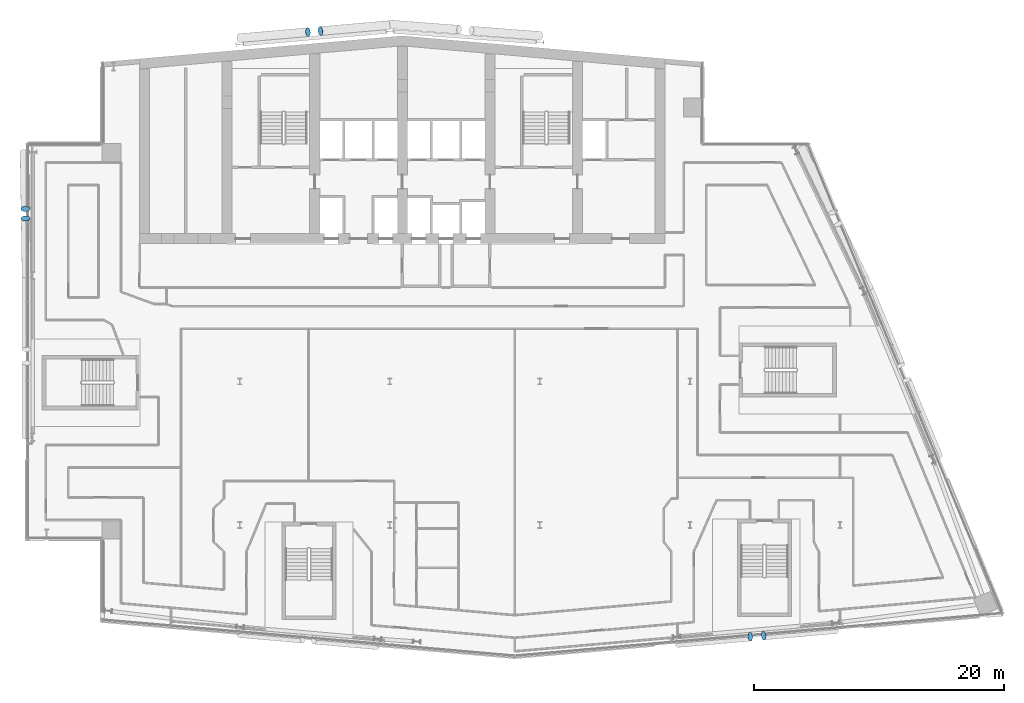
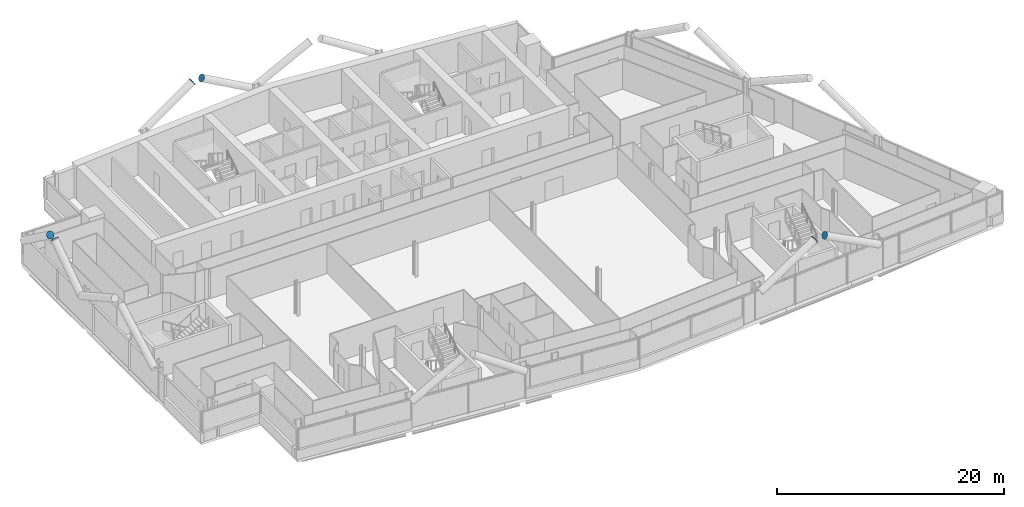
# One storey, part 23 of 27: 6 discrete accessories.
"""IFC4 building model written with IfcOpenShell, lengths in metres."""

from ifc_helpers import new_model, si_unit, direction, frame, origin, origin_2d, place, context, subcontext, project, spatial, circle, extrude, material, material_profile, profile_set, type_object, element, save


model = new_model("IFC4")

# Units and contexts
model_context = context("Model", 3, precision=1e-05, world=origin(), true_north=direction((0.0, 1.0)))
body_context = subcontext(model_context, "Body", "Model", "MODEL_VIEW")
ifc_project = project(units=[si_unit("LENGTHUNIT", "METRE"), si_unit("AREAUNIT", "SQUARE_METRE"), si_unit("VOLUMEUNIT", "CUBIC_METRE"), si_unit("PLANEANGLEUNIT", "RADIAN"), si_unit("MASSUNIT", "GRAM", prefix="KILO")], contexts=[model_context])

# Site, building, storey
site_placement = place(None, origin())
site = spatial("IfcSite", under=ifc_project, at=site_placement, CompositionType="ELEMENT")
building_placement = place(site_placement, origin())
building = spatial("IfcBuilding", under=site, at=building_placement, Name="Wharfspan Tower", CompositionType="ELEMENT")
storey_placement = place(building_placement, frame((0.0, 0.0, 191.5)))
storey = spatial("IfcBuildingStorey", under=building, at=storey_placement, Name="L47", CompositionType="ELEMENT", Elevation=191.5)

# Discrete accessories
ifc_material = material(Name="Steel S460NH", Category="steel")
ifc_material_profile = material_profile(ifc_material, circle(Radius=0.355469, at=origin_2d()))
ifc_profile_set = profile_set([ifc_material_profile], Name="Steel S460NH")
discrete_accessory_type = type_object("IfcDiscreteAccessoryType", Name="End plate CHS 711x36", PredefinedType="BRACKET", material=ifc_profile_set)
for number, where, z_axis, x_axis, name in (
    (1, (64.812744, 2.578613, 6.192383), (0.871847, 0.072654, 0.484359), (-0.083044, 0.996547, -3e-06), "End plate CHS 711x36"),
    (2, (65.897949, 2.673584, 6.192383), (-0.871847, -0.072654, 0.484359), (0.083044, -0.996547, -3e-06), "End plate CHS 711x36"),
):
    element("IfcDiscreteAccessory", number, at=place(storey_placement, frame(where, z_axis=z_axis, x_axis=x_axis)), inside=storey, type_object=discrete_accessory_type, Name=name, PredefinedType="BRACKET", context=body_context, shape_type="SweptSolid", body=[
        extrude(circle(Radius=0.355469, at=origin_2d()), origin(), (0.0, 0.0, 1.0), 0.01001),
    ])
discrete_accessory_placement = place(storey_placement, frame((6.860352, 36.790771, 6.214844), z_axis=(0.0, -0.816968, 0.576683), x_axis=(1.0, 0.0, 0.0)))
element("IfcDiscreteAccessory", 3, at=discrete_accessory_placement, inside=storey, type_object=discrete_accessory_type, Name="End plate CHS 711x36", PredefinedType="BRACKET", context=body_context, shape_type="SweptSolid", body=[
    extrude(circle(Radius=0.355469, at=origin_2d()), origin(), (0.0, 0.0, 1.0), 0.010254),
])
for number, where, z_axis, x_axis, name in (
    (4, (6.872803, 36.009033, 6.214844), (-0.0245, 0.808493, 0.587995), (-0.999537, -0.03029, 1e-06), "End plate CHS 711x36"),
    (5, (29.450928, 50.918701, 6.196777), (0.855186, 0.073302, 0.513112), (-0.085402, 0.996345, 1e-06), "End plate CHS 711x36"),
    (6, (30.461426, 51.00708, 6.196777), (-0.855186, -0.073302, 0.513112), (0.085402, -0.996345, 1e-06), "End plate CHS 711x36"),
):
    element("IfcDiscreteAccessory", number, at=place(storey_placement, frame(where, z_axis=z_axis, x_axis=x_axis)), inside=storey, type_object=discrete_accessory_type, Name=name, PredefinedType="BRACKET", context=body_context, shape_type="SweptSolid", body=[
        extrude(circle(Radius=0.355469, at=origin_2d()), origin(), (0.0, 0.0, 1.0), 0.01001),
    ])

save(model, "model.ifc")
